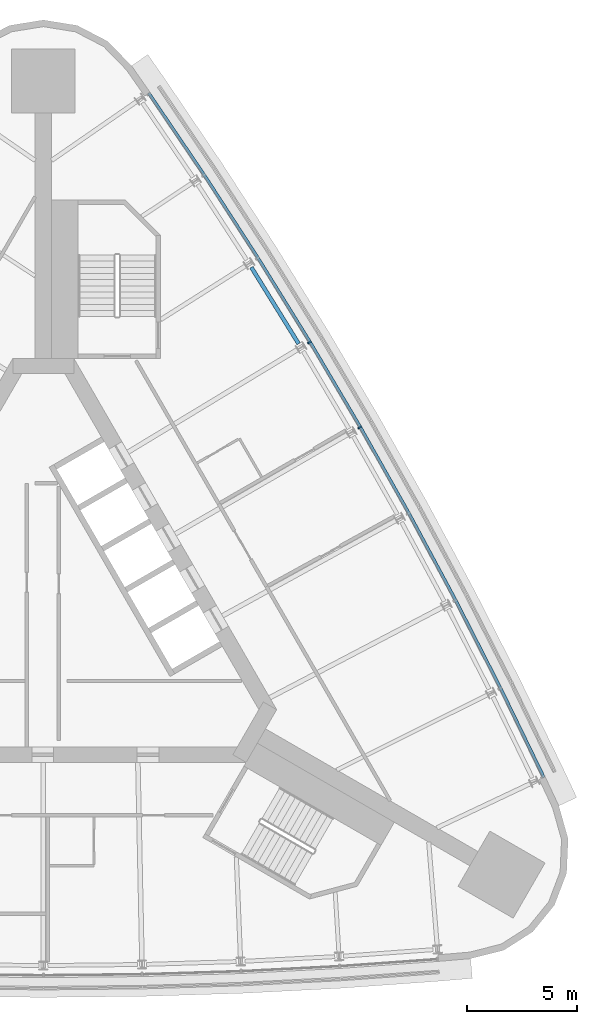
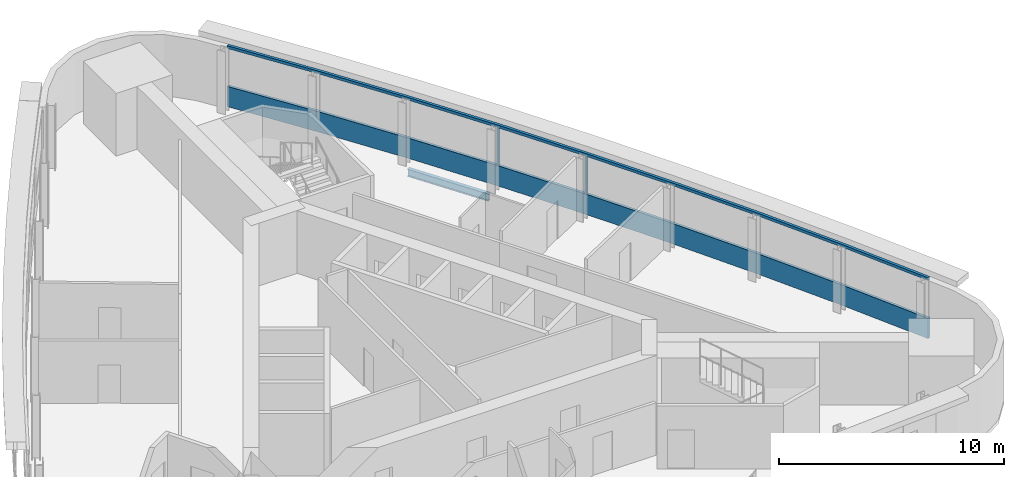
# One storey, part 6 of 13: 4 members, 1 beam, 1 element without a shape of its own.
"""IFC4 building model written with IfcOpenShell, lengths in metres."""

from ifc_helpers import new_model, si_unit, direction, frame, origin, origin_2d, place, context, subcontext, project, spatial, polyline, rectangle, i_section, outline, extrude, material, material_profile, profile_set, type_object, element, aggregate, save


model = new_model("IFC4")

# Units and contexts
model_context = context("Model", 3, precision=1e-05, world=origin(), true_north=direction((0.0, 1.0)))
body_context = subcontext(model_context, "Body", "Model", "MODEL_VIEW")
ifc_project = project(units=[si_unit("LENGTHUNIT", "METRE"), si_unit("AREAUNIT", "SQUARE_METRE"), si_unit("VOLUMEUNIT", "CUBIC_METRE"), si_unit("PLANEANGLEUNIT", "RADIAN"), si_unit("MASSUNIT", "GRAM", prefix="KILO")], contexts=[model_context])

# Site, building, storey
site_placement = place(None, origin())
site = spatial("IfcSite", under=ifc_project, at=site_placement, CompositionType="ELEMENT")
building_placement = place(site_placement, origin())
building = spatial("IfcBuilding", under=site, at=building_placement, Name="Noor Cloister Tower", CompositionType="ELEMENT")
storey_placement = place(building_placement, frame((0.0, 0.0, 143.699951171875)))
storey = spatial("IfcBuildingStorey", under=building, at=storey_placement, Name="L36", CompositionType="ELEMENT", Elevation=143.699951171875)

# Curtain wall, members
ifc_material_1 = material(Name="Aluminium 6063-T6 anodised", Category="aluminium")
curtain_wall_type = type_object("IfcCurtainWallType", Name="Ribbon curtain wall, upper tower CW5", PredefinedType="NOTDEFINED", material=ifc_material_1)
curtain_wall_placement = place(storey_placement, origin())
curtain_wall = element("IfcCurtainWall", 1, at=curtain_wall_placement, inside=storey, type_object=curtain_wall_type, Name="CW5 L36 NE run 3", PredefinedType="NOTDEFINED")
ifc_material_2 = material(Name="Aluminium 6063-T6 anodised", Category="aluminium")
member_type_1 = type_object("IfcMemberType", Name="Head transom CW5 150", PredefinedType="USERDEFINED", material=ifc_material_2)
member_1_placement = place(storey_placement, frame((0.0, 0.0, 3.150146484375)))
member_1 = element("IfcMember", 2, at=member_1_placement, type_object=member_type_1, Name="CW5 head transom", ObjectType="TRANSOM", PredefinedType="USERDEFINED", context=body_context, shape_type="SweptSolid", body=[
    extrude(outline(polyline([(22.833251953125, -7.57861328125), (20.868408203125, -3.5302734375), (18.821044921875, 0.47705078125), (16.69189453125, 4.44140625), (14.482177734375, 8.361328125), (12.1923828125, 12.235107421875), (9.823486328125, 16.06103515625), (7.376953125, 19.837646484375), (4.853271484375, 23.5634765625), (4.7373046875, 23.48486328125), (7.26025390625, 19.76025390625), (9.705322265625, 15.986083984375), (12.072509765625, 12.16259765625), (14.36083984375, 8.291259765625), (16.5693359375, 4.373779296875), (18.697021484375, 0.411865234375), (20.7431640625, -3.5927734375), (22.707275390625, -7.6396484375), (22.833251953125, -7.57861328125)])), origin(), (0.0, 0.0, 1.0), 0.14990234375),
])
ifc_material_3 = material(Name="Aluminium 6063-T6 anodised", Category="aluminium")
ifc_material_profile_1 = material_profile(ifc_material_3, rectangle(XDim=0.179931640625, YDim=0.070068359375, at=origin_2d()), Name="180 x 70 mullion")
ifc_profile_set_1 = profile_set([ifc_material_profile_1], Name="Aluminium 6063-T6 anodised")
member_type_2 = type_object("IfcMemberType", Name="Mullion CW5 70 x 180", PredefinedType="MULLION", material=ifc_profile_set_1)
member_2_placement = place(storey_placement, frame((14.3955078125, 8.311279296875, 1.10009765625), z_axis=(0.0, 0.0, 1.0), x_axis=(-0.866025403784, -0.5, 0.0)))
member_2 = element("IfcMember", 3, at=member_2_placement, type_object=member_type_2, Name="CW5 mullion 5", PredefinedType="MULLION", context=body_context, shape_type="SweptSolid", body=[
    extrude(rectangle(XDim=0.179931640625, YDim=0.070068359375, at=origin_2d()), origin(), (0.0, 0.0, 1.0), 2.050048828125),
])
member_3_placement = place(storey_placement, frame((12.106689453125, 12.183349609375, 1.10009765625), z_axis=(0.0, 0.0, 1.0), x_axis=(-0.855592397057, -0.517650123248, 0.0)))
member_3 = element("IfcMember", 4, at=member_3_placement, type_object=member_type_2, Name="CW5 mullion 6", PredefinedType="MULLION", context=body_context, shape_type="SweptSolid", body=[
    extrude(rectangle(XDim=0.179931640625, YDim=0.070068359375, at=origin_2d()), origin(), (0.0, 0.0, 1.0), 2.050048828125),
])
ifc_material_4 = material(Name="Aluminium 6063-T6 anodised", Category="aluminium")
member_type_3 = type_object("IfcMemberType", Name="Sill transom CW5 1100", PredefinedType="USERDEFINED", material=ifc_material_4)
member_4_placement = place(storey_placement, origin())
member_4 = element("IfcMember", 5, at=member_4_placement, type_object=member_type_3, Name="CW5 sill transom", ObjectType="TRANSOM", PredefinedType="USERDEFINED", context=body_context, shape_type="SweptSolid", body=[
    extrude(outline(polyline([(22.833251953125, -7.57861328125), (20.868408203125, -3.5302734375), (18.821044921875, 0.47705078125), (16.69189453125, 4.44140625), (14.482177734375, 8.361328125), (12.1923828125, 12.235107421875), (9.823486328125, 16.06103515625), (7.376953125, 19.837646484375), (4.853271484375, 23.5634765625), (4.7373046875, 23.48486328125), (7.26025390625, 19.76025390625), (9.705322265625, 15.986083984375), (12.072509765625, 12.16259765625), (14.36083984375, 8.291259765625), (16.5693359375, 4.373779296875), (18.697021484375, 0.411865234375), (20.7431640625, -3.5927734375), (22.707275390625, -7.6396484375), (22.833251953125, -7.57861328125)])), origin(), (0.0, 0.0, 1.0), 1.10009765625),
])
aggregate(curtain_wall, [member_2, member_3, member_4, member_1])

# Beam
ifc_material_5 = material(Name="Steel ASTM A992 Gr 50", Category="steel")
ifc_material_profile_2 = material_profile(ifc_material_5, i_section(OverallWidth=0.177978515625, OverallDepth=0.406005859375, WebThickness=0.0078125, FlangeThickness=0.0126953125, FilletRadius=0.01025390625, at=origin_2d()), Name="W410x60")
ifc_profile_set_2 = profile_set([ifc_material_profile_2], Name="Steel ASTM A992 Gr 50")
beam_type = type_object("IfcBeamType", Name="Spandrel beam W410x60", PredefinedType="SPANDREL", material=ifc_profile_set_2)
beam_placement = place(storey_placement, frame((11.61669921875, 12.119873046875, -0.40283203125), z_axis=(-0.526393660697, 0.850240974065, 0.0), x_axis=(-0.850240974065, -0.526393660697, 0.0)))
element("IfcBeam", 6, at=beam_placement, inside=storey, type_object=beam_type, Name="Spandrel beam NE 06 L36", PredefinedType="SPANDREL", context=body_context, shape_type="SweptSolid", body=[
    extrude(i_section(OverallWidth=0.177978515625, OverallDepth=0.406005859375, WebThickness=0.0078125, FlangeThickness=0.0126953125, FilletRadius=0.01025390625, at=origin_2d()), origin(), (0.0, 0.0, 1.0), 4.08984375),
])

save(model, "model.ifc")
